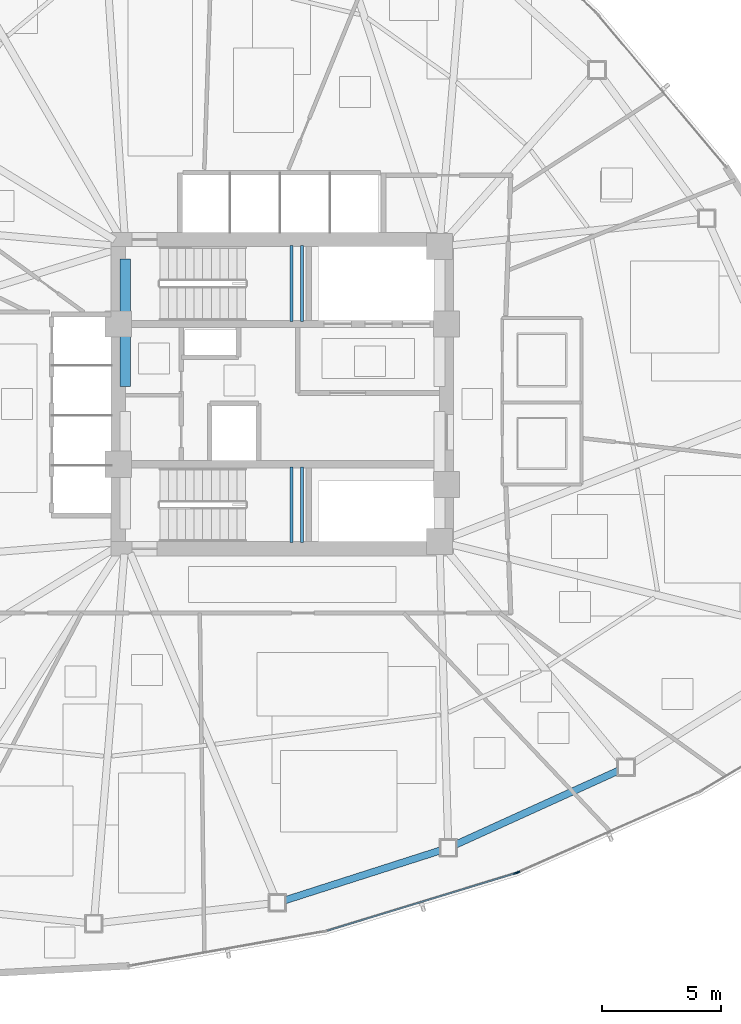
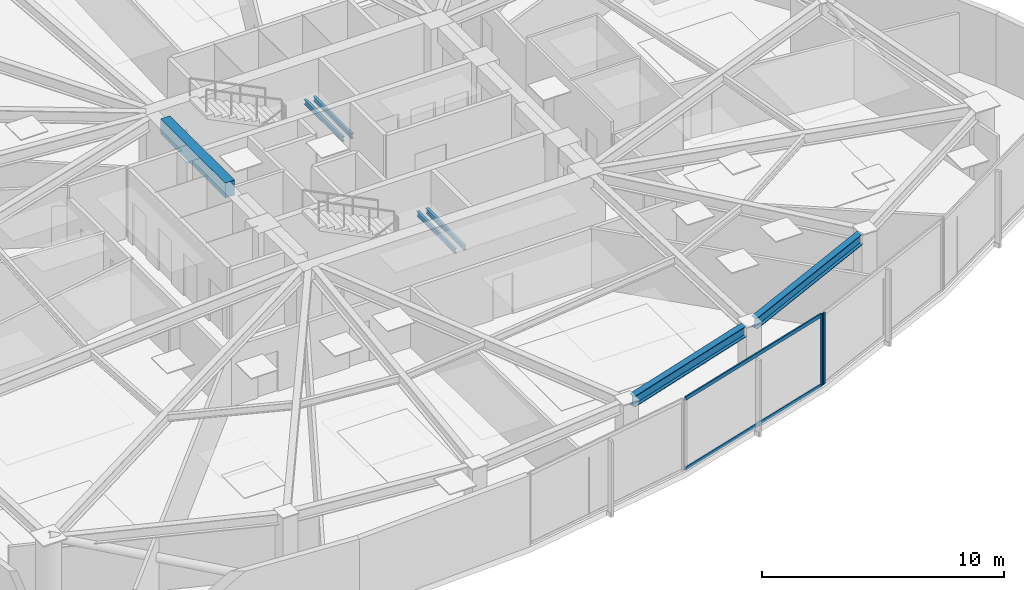
# One storey, part 5 of 17: 7 beams, 4 members, 2 elements without a shape of their own.
"""IFC4 building model written with IfcOpenShell, lengths in metres."""

from ifc_helpers import new_model, si_unit, direction, frame, origin, origin_2d, place, context, subcontext, project, spatial, rectangle, hollow_rectangle, i_section, extrude, source, transform, mapped, material, layer, layer_set, material_profile, profile_set, type_object, type_shapes, element, aggregate, save


model = new_model("IFC4")

# Units and contexts
model_context = context("Model", 3, precision=1e-05, world=origin(), true_north=direction((0.0, 1.0)))
body_context = subcontext(model_context, "Body", "Model", "MODEL_VIEW")
ifc_project = project(units=[si_unit("LENGTHUNIT", "METRE"), si_unit("AREAUNIT", "SQUARE_METRE"), si_unit("VOLUMEUNIT", "CUBIC_METRE"), si_unit("PLANEANGLEUNIT", "RADIAN"), si_unit("MASSUNIT", "GRAM", prefix="KILO")], contexts=[model_context])

# Site, building, storey
site_placement = place(None, origin())
site = spatial("IfcSite", under=ifc_project, at=site_placement, CompositionType="ELEMENT")
building_placement = place(site_placement, origin())
building = spatial("IfcBuilding", under=site, at=building_placement, Name="Tavelor Broadcast Tower", CompositionType="ELEMENT")
storey_placement = place(building_placement, frame((0.0, 0.0, 82.199951171875)))
storey = spatial("IfcBuildingStorey", under=building, at=storey_placement, Name="L19", CompositionType="ELEMENT", Elevation=82.199951171875)

# Beams
ifc_material_1 = material(Name="Concrete C40/50", Category="concrete")
ifc_material_profile_1 = material_profile(ifc_material_1, rectangle(XDim=0.449951171875, YDim=0.75, at=origin_2d()), Name="RC 450x750")
ifc_profile_set_1 = profile_set([ifc_material_profile_1], Name="Concrete C40/50")
beam_type_1 = type_object("IfcBeamType", Name="Basement Core Trim Beam 450x750", PredefinedType="BEAM", material=ifc_profile_set_1)
beam_1_placement = place(storey_placement, frame((43.39990234375, 45.327880859375, 3.22509765625), z_axis=(0.0, 1.0, 0.0), x_axis=(-1.0, 0.0, 0.0)))
element("IfcBeam", 1, at=beam_1_placement, inside=storey, type_object=beam_type_1, Name="L19 Core West-N Tie Girder", PredefinedType="BEAM", context=body_context, shape_type="SweptSolid", body=[
    extrude(rectangle(XDim=0.449951171875, YDim=0.75, at=origin_2d()), origin(), (0.0, 0.0, 1.0), 5.34423828125),
])
ifc_material_2 = material(Name="Steel S355", Category="steel")
ifc_material_profile_2 = material_profile(ifc_material_2, i_section(OverallWidth=0.300048828125, OverallDepth=0.550048828125, WebThickness=0.014892578125, FlangeThickness=0.029052734375, at=origin_2d()), Name="HEB 550")
ifc_profile_set_2 = profile_set([ifc_material_profile_2], Name="Steel S355")
beam_type_2 = type_object("IfcBeamType", Name="Perimeter Spandrel Beam T2 HEB 550", PredefinedType="SPANDREL", material=ifc_profile_set_2)
beam_2_placement = place(storey_placement, frame((50.106689453125, 23.720458984375, 3.324951171875), z_axis=(0.952297103541, 0.305172453849, 0.0), x_axis=(-0.305172453849, 0.952297103541, 0.0)))
element("IfcBeam", 2, at=beam_2_placement, inside=storey, type_object=beam_type_2, Name="L19 Framed-Tube Ring Spandrel 10", PredefinedType="SPANDREL", context=body_context, shape_type="SweptSolid", body=[
    extrude(i_section(OverallWidth=0.300048828125, OverallDepth=0.550048828125, WebThickness=0.014892578125, FlangeThickness=0.029052734375, at=origin_2d()), origin(), (0.0, 0.0, 1.0), 6.876953125),
])
beam_3_placement = place(storey_placement, frame((57.28125, 26.060546875, 3.324951171875), z_axis=(0.910420869291, 0.413683261395, 0.0), x_axis=(-0.413683261395, 0.910420869291, 0.0)))
element("IfcBeam", 3, at=beam_3_placement, inside=storey, type_object=beam_type_2, Name="L19 Framed-Tube Ring Spandrel 11", PredefinedType="SPANDREL", context=body_context, shape_type="SweptSolid", body=[
    extrude(i_section(OverallWidth=0.300048828125, OverallDepth=0.550048828125, WebThickness=0.014892578125, FlangeThickness=0.029052734375, at=origin_2d()), origin(), (0.0, 0.0, 1.0), 7.531005859375),
])
ifc_material_profile_3 = material_profile(ifc_material_2, i_section(OverallWidth=0.1201171875, OverallDepth=0.239990234375, WebThickness=0.006103515625, FlangeThickness=0.009765625, at=origin_2d()), Name="IPE 240")
ifc_profile_set_3 = profile_set([ifc_material_profile_3], Name="Steel S355")
beam_type_3 = type_object("IfcBeamType", Name="Stairwell Landing Support Trimmer Beam IPE240", PredefinedType="BEAM", material=ifc_profile_set_3)
for number, where, z_axis, x_axis, name in (
    (4, (50.385009765625, 48.06005859375, 1.635009765625), (0.0, 1.0, 0.0), (-1.0, 0.0, 0.0), "L19 Stair Landing Support Beam 63"),
    (5, (50.824951171875, 48.06005859375, 1.635009765625), (0.0, 1.0, 0.0), (-1.0, 0.0, 0.0), "L19 Stair Landing Support Beam 64"),
    (6, (50.385009765625, 38.760009765625, 1.635009765625), (0.0, 1.0, 0.0), (-1.0, 0.0, 0.0), "L19 Stair Landing Support Beam 277"),
    (7, (50.824951171875, 38.760009765625, 1.635009765625), (0.0, 1.0, 0.0), (-1.0, 0.0, 0.0), "L19 Stair Landing Support Beam 278"),
):
    element("IfcBeam", number, at=place(storey_placement, frame(where, z_axis=z_axis, x_axis=x_axis)), inside=storey, type_object=beam_type_3, Name=name, PredefinedType="BEAM", context=body_context, shape_type="SweptSolid", body=[
        extrude(i_section(OverallWidth=0.1201171875, OverallDepth=0.239990234375, WebThickness=0.006103515625, FlangeThickness=0.009765625, at=origin_2d()), origin(), (0.0, 0.0, 1.0), 3.179931640625),
    ])

# Curtain wall, member
ifc_material_3 = material(Name="Architectural Anodized Aluminium", Category="aluminium")
ifc_layer = layer(ifc_material_3, 0.179931640625)
ifc_layer_set = layer_set([ifc_layer], Name="Architectural Anodized Aluminium")
curtain_wall_type = type_object("IfcCurtainWallType", Name="Tower Low-Zone Unitised Curtain Wall CW02", PredefinedType="NOTDEFINED", material=ifc_layer_set)
curtain_wall_1_placement = place(storey_placement, origin())
curtain_wall_1 = element("IfcCurtainWall", 8, at=curtain_wall_1_placement, inside=storey, type_object=curtain_wall_type, Name="L19 Curtain Wall CW02 Run 186", PredefinedType="NOTDEFINED")
ifc_material_profile_4 = material_profile(ifc_material_3, hollow_rectangle(XDim=0.06494140625, YDim=0.179931640625, WallThickness=0.02197265625, at=origin_2d()), Name="RHS 65x180x22")
ifc_profile_set_4 = profile_set([ifc_material_profile_4], Name="Architectural Anodized Aluminium")
member_type_1 = type_object("IfcMemberType", Name="CW02 Extruded Aluminium Mullion 65x180", PredefinedType="MULLION", material=ifc_profile_set_4)
shared_shape_1 = source(origin(), body_context, "Body", "SweptSolid", [
    extrude(hollow_rectangle(XDim=0.06494140625, YDim=0.179931640625, WallThickness=0.02197265625, at=origin_2d()), origin(), (0.0, 0.0, 1.0), 3.60009765625),
])
type_shapes(member_type_1, [shared_shape_1])
member_1_placement = place(storey_placement, frame((59.806640625, 24.86083984375, 0.0), z_axis=(0.0, 0.0, 1.0), x_axis=(-0.291953772086, 0.956432430946, 0.0)))
member_1 = element("IfcMember", 9, at=member_1_placement, type_object=member_type_1, Name="CW02 mullion 2", PredefinedType="MULLION", context=body_context, shape_type="MappedRepresentation", body=[
    mapped(shared_shape_1, transform((0.0, 0.0, 0.0), scale=1.0)),
])

curtain_wall_2_placement = place(storey_placement, origin())
curtain_wall_2 = element("IfcCurtainWall", 10, at=curtain_wall_2_placement, inside=storey, type_object=curtain_wall_type, Name="L19 Curtain Wall CW02 Run 187", PredefinedType="NOTDEFINED")
member_2_placement = place(storey_placement, frame((59.8955078125, 24.89404296875, 0.0), z_axis=(0.0, 0.0, 1.0), x_axis=(-0.405552930307, 0.914071562143, 0.0)))
member_2 = element("IfcMember", 11, at=member_2_placement, type_object=member_type_1, Name="CW02 mullion 1", PredefinedType="MULLION", context=body_context, shape_type="MappedRepresentation", body=[
    mapped(shared_shape_1, transform((0.0, 0.0, 0.0), scale=1.0)),
])
aggregate(curtain_wall_2, [member_2])

# Member
ifc_material_profile_5 = material_profile(ifc_material_3, hollow_rectangle(XDim=0.06494140625, YDim=0.179931640625, WallThickness=0.02197265625, at=origin_2d()), Name="RHS 65x180x22")
ifc_profile_set_5 = profile_set([ifc_material_profile_5], Name="Architectural Anodized Aluminium")
member_type_2 = type_object("IfcMemberType", Name="CW02 Extruded Aluminium Transom 65x180", PredefinedType="USERDEFINED", material=ifc_profile_set_5)
shared_shape_2 = source(origin(), body_context, "Body", "SweptSolid", [
    extrude(hollow_rectangle(XDim=0.06494140625, YDim=0.179931640625, WallThickness=0.02197265625, at=origin_2d()), origin(), (0.0, 0.0, 1.0), 8.23779296875),
])
type_shapes(member_type_2, [shared_shape_2])
member_3_placement = place(storey_placement, frame((51.896728515625, 22.4462890625, 0.032470703125), z_axis=(0.956433436844, 0.291950476771, 0.0), x_axis=(-0.291950476771, 0.956433436844, 0.0)))
member_3 = element("IfcMember", 12, at=member_3_placement, type_object=member_type_2, Name="CW02 transom 1.1", ObjectType="TRANSOM", PredefinedType="USERDEFINED", context=body_context, shape_type="MappedRepresentation", body=[
    mapped(shared_shape_2, transform((0.0, 0.0, 0.0), scale=1.0)),
])

member_4_placement = place(storey_placement, frame((51.896728515625, 22.4462890625, 3.567626953125), z_axis=(0.956433436844, 0.291950476771, 0.0), x_axis=(-0.291950476771, 0.956433436844, 0.0)))
member_4 = element("IfcMember", 13, at=member_4_placement, type_object=member_type_2, Name="CW02 transom 1.2", ObjectType="TRANSOM", PredefinedType="USERDEFINED", context=body_context, shape_type="MappedRepresentation", body=[
    mapped(shared_shape_2, transform((0.0, 0.0, 0.0), scale=1.0)),
])

aggregate(curtain_wall_1, [member_1, member_3, member_4])

save(model, "model.ifc")
